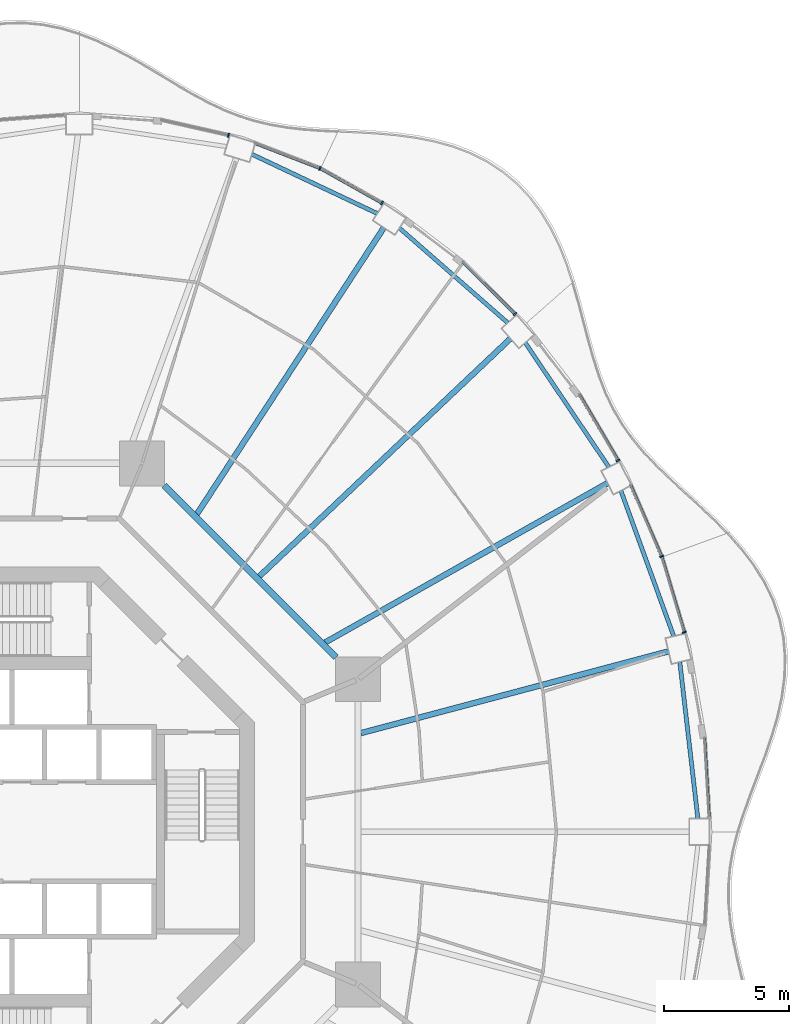
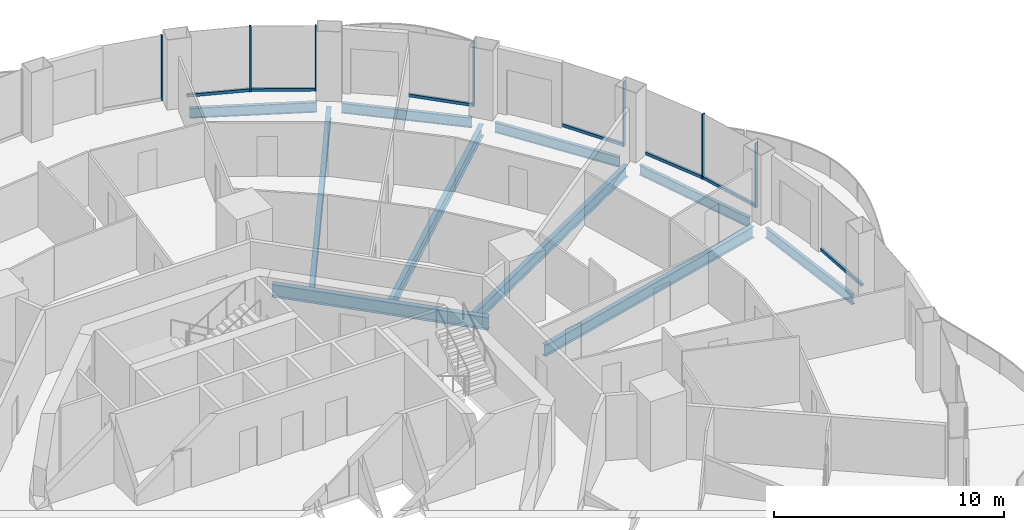
# One storey, part 8 of 19: 14 members, 10 beams, 8 elements without a shape of their own.
"""IFC4 building model written with IfcOpenShell, lengths in metres."""

from ifc_helpers import new_model, si_unit, direction, frame, origin, origin_2d, place, context, subcontext, project, spatial, rectangle, i_section, extrude, material, layer, layer_set, material_profile, profile_set, type_object, element, aggregate, save


model = new_model("IFC4")

# Units and contexts
model_context = context("Model", 3, precision=1e-05, world=origin(), true_north=direction((0.0, 1.0)))
body_context = subcontext(model_context, "Body", "Model", "MODEL_VIEW")
ifc_project = project(units=[si_unit("LENGTHUNIT", "METRE"), si_unit("AREAUNIT", "SQUARE_METRE"), si_unit("VOLUMEUNIT", "CUBIC_METRE"), si_unit("PLANEANGLEUNIT", "RADIAN"), si_unit("MASSUNIT", "GRAM", prefix="KILO")], contexts=[model_context])

# Site, building, storey
site_placement = place(None, origin())
site = spatial("IfcSite", under=ifc_project, at=site_placement, CompositionType="ELEMENT")
building_placement = place(site_placement, origin())
building = spatial("IfcBuilding", under=site, at=building_placement, Name="Nagisa Residences", CompositionType="ELEMENT")
storey_placement = place(building_placement, frame((0.0, 0.0, 191.800048828125)))
storey = spatial("IfcBuildingStorey", under=building, at=storey_placement, Name="L48", CompositionType="ELEMENT", Elevation=191.800048828125)

# Curtain wall, member
ifc_material_1 = material(Name="Concrete-coloured aluminium curtain wall system", Category="concrete")
ifc_layer = layer(ifc_material_1, 0.159912109375)
ifc_layer_set = layer_set([ifc_layer], Name="CW1 CURTAIN WALL")
curtain_wall_type = type_object("IfcCurtainWallType", Name="CW1 CURTAIN WALL", PredefinedType="NOTDEFINED", material=ifc_layer_set)
curtain_wall_1_placement = place(storey_placement, origin())
curtain_wall_1 = element("IfcCurtainWall", 1, at=curtain_wall_1_placement, inside=storey, type_object=curtain_wall_type, Name="cw:CW1:L48:02", PredefinedType="NOTDEFINED")
ifc_material_2 = material(Name="Concrete-coloured aluminium", Category="concrete")
ifc_material_profile_1 = material_profile(ifc_material_2, rectangle(XDim=0.159912109375, YDim=0.06005859375, at=origin_2d()), Name="CW1 MULLION 160x60")
ifc_profile_set_1 = profile_set([ifc_material_profile_1], Name="Concrete-coloured aluminium")
member_type_1 = type_object("IfcMemberType", Name="CW1 MULLION 160x60", PredefinedType="MULLION", material=ifc_profile_set_1)
member_1_placement = place(storey_placement, frame((27.867919921875, 8.00634765625, 0.0), z_axis=(0.0, 0.0, 1.0), x_axis=(-0.958271310082, -0.285860274038, 0.0)))
member_1 = element("IfcMember", 2, at=member_1_placement, type_object=member_type_1, Name="CW1 mullion", PredefinedType="MULLION", context=body_context, shape_type="SweptSolid", body=[
    extrude(rectangle(XDim=0.159912109375, YDim=0.06005859375, at=origin_2d()), origin(), (0.0, 0.0, 1.0), 3.43994140625),
])

curtain_wall_2_placement = place(storey_placement, origin())
curtain_wall_2 = element("IfcCurtainWall", 3, at=curtain_wall_2_placement, inside=storey, type_object=curtain_wall_type, Name="cw:CW1:L48:03", PredefinedType="NOTDEFINED")
member_2_placement = place(storey_placement, frame((26.9580078125, 11.045654296875, 0.0), z_axis=(0.0, 0.0, 1.0), x_axis=(-0.917543276295, -0.397635934147, 0.0)))
member_2 = element("IfcMember", 4, at=member_2_placement, type_object=member_type_1, Name="CW1 mullion", PredefinedType="MULLION", context=body_context, shape_type="SweptSolid", body=[
    extrude(rectangle(XDim=0.159912109375, YDim=0.06005859375, at=origin_2d()), origin(), (0.0, 0.0, 1.0), 3.43994140625),
])

curtain_wall_3_placement = place(storey_placement, origin())
curtain_wall_3 = element("IfcCurtainWall", 5, at=curtain_wall_3_placement, inside=storey, type_object=curtain_wall_type, Name="cw:CW1:L48:04", PredefinedType="NOTDEFINED")
member_3_placement = place(storey_placement, frame((25.212646484375, 14.897216796875, 0.0), z_axis=(0.0, 0.0, 1.0), x_axis=(-0.862328898214, -0.506348567002, 0.0)))
member_3 = element("IfcMember", 6, at=member_3_placement, type_object=member_type_1, Name="CW1 mullion", PredefinedType="MULLION", context=body_context, shape_type="SweptSolid", body=[
    extrude(rectangle(XDim=0.159912109375, YDim=0.06005859375, at=origin_2d()), origin(), (0.0, 0.0, 1.0), 3.43994140625),
])

curtain_wall_4_placement = place(storey_placement, origin())
curtain_wall_4 = element("IfcCurtainWall", 7, at=curtain_wall_4_placement, inside=storey, type_object=curtain_wall_type, Name="cw:CW1:L48:06", PredefinedType="NOTDEFINED")
member_4_placement = place(storey_placement, frame((21.07568359375, 20.770751953125, 0.0), z_axis=(0.0, 0.0, 1.0), x_axis=(-0.706376885714, -0.707835924016, 0.0)))
member_4 = element("IfcMember", 8, at=member_4_placement, type_object=member_type_1, Name="CW1 mullion", PredefinedType="MULLION", context=body_context, shape_type="SweptSolid", body=[
    extrude(rectangle(XDim=0.159912109375, YDim=0.06005859375, at=origin_2d()), origin(), (0.0, 0.0, 1.0), 3.43994140625),
])

curtain_wall_5_placement = place(storey_placement, origin())
curtain_wall_5 = element("IfcCurtainWall", 9, at=curtain_wall_5_placement, inside=storey, type_object=curtain_wall_type, Name="cw:CW1:L48:08", PredefinedType="NOTDEFINED")
member_5_placement = place(storey_placement, frame((15.742431640625, 25.220458984375, 0.0), z_axis=(0.0, 0.0, 1.0), x_axis=(-0.489376918501, -0.872072377523, 0.0)))
member_5 = element("IfcMember", 10, at=member_5_placement, type_object=member_type_1, Name="CW1 mullion", PredefinedType="MULLION", context=body_context, shape_type="SweptSolid", body=[
    extrude(rectangle(XDim=0.159912109375, YDim=0.06005859375, at=origin_2d()), origin(), (0.0, 0.0, 1.0), 3.43994140625),
])

curtain_wall_6_placement = place(storey_placement, origin())
curtain_wall_6 = element("IfcCurtainWall", 11, at=curtain_wall_6_placement, inside=storey, type_object=curtain_wall_type, Name="cw:CW1:L48:09", PredefinedType="NOTDEFINED")
member_6_placement = place(storey_placement, frame((13.253662109375, 26.61328125, 0.0), z_axis=(0.0, 0.0, 1.0), x_axis=(-0.360327770268, -0.932825759707, 0.0)))
member_6 = element("IfcMember", 12, at=member_6_placement, type_object=member_type_1, Name="CW1 mullion", PredefinedType="MULLION", context=body_context, shape_type="SweptSolid", body=[
    extrude(rectangle(XDim=0.159912109375, YDim=0.06005859375, at=origin_2d()), origin(), (0.0, 0.0, 1.0), 3.43994140625),
])

curtain_wall_7_placement = place(storey_placement, origin())
curtain_wall_7 = element("IfcCurtainWall", 13, at=curtain_wall_7_placement, inside=storey, type_object=curtain_wall_type, Name="cw:CW1:L48:10", PredefinedType="NOTDEFINED")
member_7_placement = place(storey_placement, frame((9.584228515625, 27.941162109375, 0.0), z_axis=(0.0, 0.0, 1.0), x_axis=(-0.2207639201, -0.975327274089, 0.0)))
member_7 = element("IfcMember", 14, at=member_7_placement, type_object=member_type_1, Name="CW1 mullion", PredefinedType="MULLION", context=body_context, shape_type="SweptSolid", body=[
    extrude(rectangle(XDim=0.159912109375, YDim=0.06005859375, at=origin_2d()), origin(), (0.0, 0.0, 1.0), 3.43994140625),
])
aggregate(curtain_wall_7, [member_7])

curtain_wall_8_placement = place(storey_placement, origin())
curtain_wall_8 = element("IfcCurtainWall", 15, at=curtain_wall_8_placement, inside=storey, type_object=curtain_wall_type, Name="cw:CW1:L48:00", PredefinedType="NOTDEFINED")
ifc_material_3 = material(Name="Concrete-coloured aluminium", Category="concrete")
ifc_material_profile_2 = material_profile(ifc_material_3, rectangle(XDim=0.1201171875, YDim=0.14990234375, at=origin_2d()), Name="CW1 TRANSOM 120x150")
ifc_profile_set_2 = profile_set([ifc_material_profile_2], Name="Concrete-coloured aluminium")
member_type_2 = type_object("IfcMemberType", Name="CW1 TRANSOM 120x150", PredefinedType="USERDEFINED", material=ifc_profile_set_2)
member_8_placement = place(storey_placement, frame((28.863525390625, 0.54443359375, 0.074951171875), z_axis=(-0.057528345118, 0.998343873376, 0.0), x_axis=(-0.998343873376, -0.057528345118, 0.0)))
member_8 = element("IfcMember", 16, at=member_8_placement, type_object=member_type_2, Name="CW1 transom", ObjectType="TRANSOM", PredefinedType="USERDEFINED", context=body_context, shape_type="SweptSolid", body=[
    extrude(rectangle(XDim=0.1201171875, YDim=0.14990234375, at=origin_2d()), origin(), (0.0, 0.0, 1.0), 3.225341796875),
])
aggregate(curtain_wall_8, [member_8])

# Member
member_9_placement = place(storey_placement, frame((27.87646484375, 7.9775390625, 0.074951171875), z_axis=(-0.28584838049, 0.958274857946, 0.0), x_axis=(-0.958274857946, -0.28584838049, 0.0)))
member_9 = element("IfcMember", 17, at=member_9_placement, type_object=member_type_2, Name="CW1 transom", ObjectType="TRANSOM", PredefinedType="USERDEFINED", context=body_context, shape_type="SweptSolid", body=[
    extrude(rectangle(XDim=0.1201171875, YDim=0.14990234375, at=origin_2d()), origin(), (0.0, 0.0, 1.0), 3.182373046875),
])

aggregate(curtain_wall_1, [member_1, member_9])

member_10_placement = place(storey_placement, frame((26.969970703125, 11.01806640625, 0.074951171875), z_axis=(-0.397592173732, 0.917562239517, 0.0), x_axis=(-0.917562239517, -0.397592173732, 0.0)))
member_10 = element("IfcMember", 18, at=member_10_placement, type_object=member_type_2, Name="CW1 transom", ObjectType="TRANSOM", PredefinedType="USERDEFINED", context=body_context, shape_type="SweptSolid", body=[
    extrude(rectangle(XDim=0.1201171875, YDim=0.14990234375, at=origin_2d()), origin(), (0.0, 0.0, 1.0), 3.14208984375),
])

aggregate(curtain_wall_2, [member_2, member_10])

member_11_placement = place(storey_placement, frame((25.22802734375, 14.871337890625, 0.074951171875), z_axis=(-0.506367803691, 0.862317602386, 0.0), x_axis=(-0.862317602386, -0.506367803691, 0.0)))
member_11 = element("IfcMember", 19, at=member_11_placement, type_object=member_type_2, Name="CW1 transom", ObjectType="TRANSOM", PredefinedType="USERDEFINED", context=body_context, shape_type="SweptSolid", body=[
    extrude(rectangle(XDim=0.1201171875, YDim=0.14990234375, at=origin_2d()), origin(), (0.0, 0.0, 1.0), 3.092041015625),
])

aggregate(curtain_wall_3, [member_3, member_11])

member_12_placement = place(storey_placement, frame((21.096923828125, 20.74951171875, 0.074951171875), z_axis=(-0.707803821372, 0.706409053206, 0.0), x_axis=(-0.706409053206, -0.707803821372, 0.0)))
member_12 = element("IfcMember", 20, at=member_12_placement, type_object=member_type_2, Name="CW1 transom", ObjectType="TRANSOM", PredefinedType="USERDEFINED", context=body_context, shape_type="SweptSolid", body=[
    extrude(rectangle(XDim=0.1201171875, YDim=0.14990234375, at=origin_2d()), origin(), (0.0, 0.0, 1.0), 2.9755859375),
])

aggregate(curtain_wall_4, [member_4, member_12])

member_13_placement = place(storey_placement, frame((15.768798828125, 25.205810546875, 0.074951171875), z_axis=(-0.872078262455, 0.489366431371, 0.0), x_axis=(-0.489366431371, -0.872078262455, 0.0)))
member_13 = element("IfcMember", 21, at=member_13_placement, type_object=member_type_2, Name="CW1 transom", ObjectType="TRANSOM", PredefinedType="USERDEFINED", context=body_context, shape_type="SweptSolid", body=[
    extrude(rectangle(XDim=0.1201171875, YDim=0.14990234375, at=origin_2d()), origin(), (0.0, 0.0, 1.0), 2.863525390625),
])

aggregate(curtain_wall_5, [member_5, member_13])

member_14_placement = place(storey_placement, frame((13.28173828125, 26.602294921875, 0.074951171875), z_axis=(-0.932795487898, 0.360406128911, 0.0), x_axis=(-0.360406128911, -0.932795487898, 0.0)))
member_14 = element("IfcMember", 22, at=member_14_placement, type_object=member_type_2, Name="CW1 transom", ObjectType="TRANSOM", PredefinedType="USERDEFINED", context=body_context, shape_type="SweptSolid", body=[
    extrude(rectangle(XDim=0.1201171875, YDim=0.14990234375, at=origin_2d()), origin(), (0.0, 0.0, 1.0), 2.8193359375),
])

aggregate(curtain_wall_6, [member_6, member_14])

# Beams
ifc_material_4 = material(Name="Steel ASTM A572 Gr 50", Category="steel")
ifc_material_profile_3 = material_profile(ifc_material_4, i_section(OverallWidth=0.25390625, OverallDepth=0.68408203125, WebThickness=0.012451171875, FlangeThickness=0.018798828125, at=origin_2d()), Name="W690x140")
ifc_profile_set_3 = profile_set([ifc_material_profile_3], Name="Steel ASTM A572 Gr 50")
beam_type_1 = type_object("IfcBeamType", Name="Inner ring beam W690x140", PredefinedType="BEAM", material=ifc_profile_set_3)
beam_1_placement = place(storey_placement, frame((13.896240234375, 7.0087890625, -0.60205078125), z_axis=(-0.707106781187, 0.707106781187, 0.0), x_axis=(-0.707106781187, -0.707106781187, 0.0)))
element("IfcBeam", 23, at=beam_1_placement, inside=storey, type_object=beam_type_1, Name="beam:L48:ib1", PredefinedType="BEAM", context=body_context, shape_type="SweptSolid", body=[
    extrude(i_section(OverallWidth=0.25390625, OverallDepth=0.68408203125, WebThickness=0.012451171875, FlangeThickness=0.018798828125, at=origin_2d()), origin(), (0.0, 0.0, 1.0), 9.740234375),
])
ifc_material_5 = material(Name="Steel ASTM A572 Gr 50", Category="steel")
ifc_material_profile_4 = material_profile(ifc_material_5, i_section(OverallWidth=0.166015625, OverallDepth=0.534912109375, WebThickness=0.01025390625, FlangeThickness=0.0166015625, at=origin_2d()), Name="W530x85")
ifc_profile_set_4 = profile_set([ifc_material_profile_4], Name="Steel ASTM A572 Gr 50")
beam_type_2 = type_object("IfcBeamType", Name="Perimeter ring beam W530x85", PredefinedType="BEAM", material=ifc_profile_set_4)
beam_2_placement = place(storey_placement, frame((28.413818359375, 0.530029296875, -0.527587890625), z_axis=(-0.11463289794, 0.993407921606, 0.0), x_axis=(-0.993407921606, -0.11463289794, 0.0)))
element("IfcBeam", 24, at=beam_2_placement, inside=storey, type_object=beam_type_2, Name="beam:L48:pb01", PredefinedType="BEAM", context=body_context, shape_type="SweptSolid", body=[
    extrude(i_section(OverallWidth=0.166015625, OverallDepth=0.534912109375, WebThickness=0.01025390625, FlangeThickness=0.0166015625, at=origin_2d()), origin(), (0.0, 0.0, 1.0), 6.325439453125),
])
beam_3_placement = place(storey_placement, frame((27.4453125, 7.845703125, -0.527587890625), z_axis=(-0.341320243926, 0.939947068237, 0.0), x_axis=(-0.939947068237, -0.341320243926, 0.0)))
element("IfcBeam", 25, at=beam_3_placement, inside=storey, type_object=beam_type_2, Name="beam:L48:pb02", PredefinedType="BEAM", context=body_context, shape_type="SweptSolid", body=[
    extrude(i_section(OverallWidth=0.166015625, OverallDepth=0.534912109375, WebThickness=0.01025390625, FlangeThickness=0.0166015625, at=origin_2d()), origin(), (0.0, 0.0, 1.0), 6.212890625),
])
beam_4_placement = place(storey_placement, frame((24.84423828125, 14.630615234375, -0.527587890625), z_axis=(-0.558152301307, 0.829738518177, 0.0), x_axis=(-0.829738518177, -0.558152301307, 0.0)))
element("IfcBeam", 26, at=beam_4_placement, inside=storey, type_object=beam_type_2, Name="beam:L48:pb03", PredefinedType="BEAM", context=body_context, shape_type="SweptSolid", body=[
    extrude(i_section(OverallWidth=0.166015625, OverallDepth=0.534912109375, WebThickness=0.01025390625, FlangeThickness=0.0166015625, at=origin_2d()), origin(), (0.0, 0.0, 1.0), 6.013916015625),
])
beam_5_placement = place(storey_placement, frame((20.786865234375, 20.416259765625, -0.527587890625), z_axis=(-0.752461486776, 0.658636250838, 0.0), x_axis=(-0.658636250838, -0.752461486776, 0.0)))
element("IfcBeam", 27, at=beam_5_placement, inside=storey, type_object=beam_type_2, Name="beam:L48:pb04", PredefinedType="BEAM", context=body_context, shape_type="SweptSolid", body=[
    extrude(i_section(OverallWidth=0.166015625, OverallDepth=0.534912109375, WebThickness=0.01025390625, FlangeThickness=0.0166015625, at=origin_2d()), origin(), (0.0, 0.0, 1.0), 5.776611328125),
])
beam_6_placement = place(storey_placement, frame((15.553466796875, 24.80224609375, -0.527587890625), z_axis=(-0.904157325884, 0.427199637232, 0.0), x_axis=(-0.427199637232, -0.904157325884, 0.0)))
element("IfcBeam", 28, at=beam_6_placement, inside=storey, type_object=beam_type_2, Name="beam:L48:pb05", PredefinedType="BEAM", context=body_context, shape_type="SweptSolid", body=[
    extrude(i_section(OverallWidth=0.166015625, OverallDepth=0.534912109375, WebThickness=0.01025390625, FlangeThickness=0.0166015625, at=origin_2d()), origin(), (0.0, 0.0, 1.0), 5.56396484375),
])
ifc_material_6 = material(Name="Steel ASTM A572 Gr 50", Category="steel")
ifc_material_profile_5 = material_profile(ifc_material_6, i_section(OverallWidth=0.22802734375, OverallDepth=0.60302734375, WebThickness=0.010498046875, FlangeThickness=0.014892578125, at=origin_2d()), Name="W610x101")
ifc_profile_set_5 = profile_set([ifc_material_profile_5], Name="Steel ASTM A572 Gr 50")
beam_type_3 = type_object("IfcBeamType", Name="Radial beam W610x101", PredefinedType="BEAM", material=ifc_profile_set_5)
beam_7_placement = place(storey_placement, frame((27.23583984375, 7.239990234375, -0.5615234375), z_axis=(-0.966436061719, -0.256907256826, 0.0), x_axis=(0.256907256826, -0.966436061719, 0.0)))
element("IfcBeam", 29, at=beam_7_placement, inside=storey, type_object=beam_type_3, Name="beam:L48:rb02", PredefinedType="BEAM", context=body_context, shape_type="SweptSolid", body=[
    extrude(i_section(OverallWidth=0.22802734375, OverallDepth=0.60302734375, WebThickness=0.010498046875, FlangeThickness=0.014892578125, at=origin_2d()), origin(), (0.0, 0.0, 1.0), 12.77490234375),
])
beam_8_placement = place(storey_placement, frame((24.789306640625, 13.98828125, -0.5615234375), z_axis=(-0.870904520395, -0.491452252366, 0.0), x_axis=(0.491452252366, -0.870904520395, 0.0)))
element("IfcBeam", 30, at=beam_8_placement, inside=storey, type_object=beam_type_3, Name="beam:L48:rb03", PredefinedType="BEAM", context=body_context, shape_type="SweptSolid", body=[
    extrude(i_section(OverallWidth=0.22802734375, OverallDepth=0.60302734375, WebThickness=0.010498046875, FlangeThickness=0.014892578125, at=origin_2d()), origin(), (0.0, 0.0, 1.0), 13.007080078125),
])
beam_9_placement = place(storey_placement, frame((20.89501953125, 19.785400390625, -0.5615234375), z_axis=(-0.726119962477, -0.687568033064, 0.0), x_axis=(0.687568033064, -0.726119962477, 0.0)))
element("IfcBeam", 31, at=beam_9_placement, inside=storey, type_object=beam_type_3, Name="beam:L48:rb04", PredefinedType="BEAM", context=body_context, shape_type="SweptSolid", body=[
    extrude(i_section(OverallWidth=0.22802734375, OverallDepth=0.60302734375, WebThickness=0.010498046875, FlangeThickness=0.014892578125, at=origin_2d()), origin(), (0.0, 0.0, 1.0), 13.88134765625),
])
beam_10_placement = place(storey_placement, frame((15.816162109375, 24.234375, -0.5615234375), z_axis=(-0.546541244511, -0.837432187135, 0.0), x_axis=(0.837432187135, -0.546541244511, 0.0)))
element("IfcBeam", 32, at=beam_10_placement, inside=storey, type_object=beam_type_3, Name="beam:L48:rb05", PredefinedType="BEAM", context=body_context, shape_type="SweptSolid", body=[
    extrude(i_section(OverallWidth=0.22802734375, OverallDepth=0.60302734375, WebThickness=0.010498046875, FlangeThickness=0.014892578125, at=origin_2d()), origin(), (0.0, 0.0, 1.0), 13.72412109375),
])

save(model, "model.ifc")
